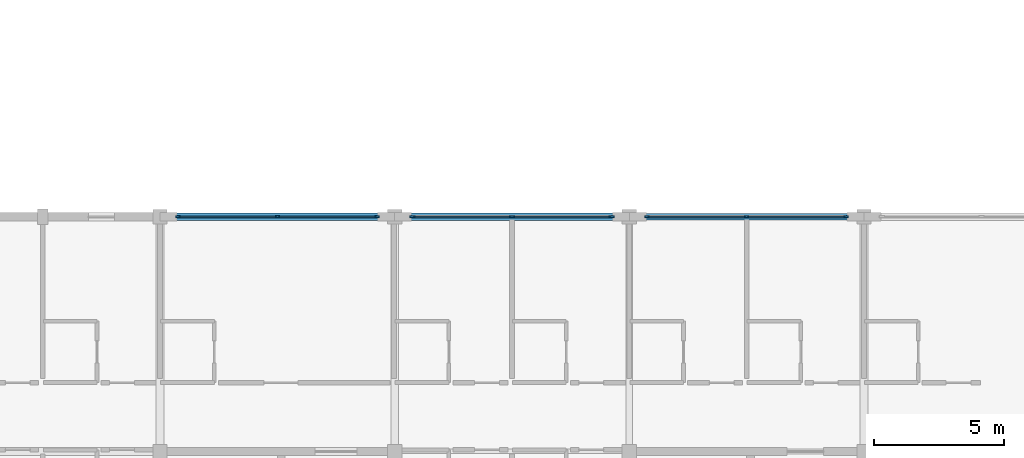
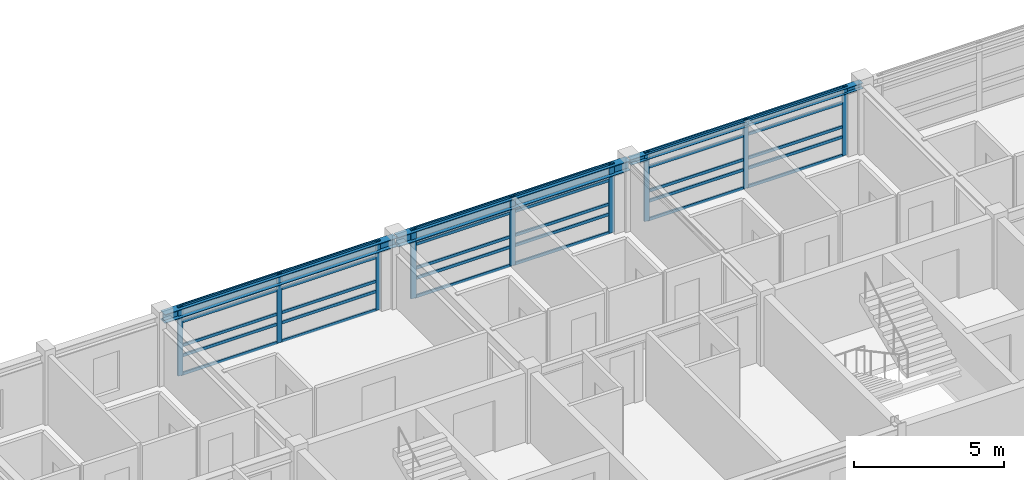
# One storey, part 7 of 30: 39 members, 3 beams, 3 elements without a shape of their own.
"""IFC4 building model written with IfcOpenShell, lengths in metres."""

from ifc_helpers import new_model, si_unit, direction, frame, origin, origin_2d, place, context, subcontext, project, spatial, rectangle, i_section, extrude, material, material_profile, profile_set, type_object, element, aggregate, save


model = new_model("IFC4")

# Units and contexts
model_context = context("Model", 3, precision=1e-05, world=origin(), true_north=direction((0.0, 1.0)))
body_context = subcontext(model_context, "Body", "Model", "MODEL_VIEW")
ifc_project = project(units=[si_unit("LENGTHUNIT", "METRE"), si_unit("AREAUNIT", "SQUARE_METRE"), si_unit("VOLUMEUNIT", "CUBIC_METRE"), si_unit("PLANEANGLEUNIT", "RADIAN"), si_unit("MASSUNIT", "GRAM", prefix="KILO")], contexts=[model_context])

# Site, building, storey
site_placement = place(None, origin())
site = spatial("IfcSite", under=ifc_project, at=site_placement, CompositionType="ELEMENT")
building_placement = place(site_placement, origin())
building = spatial("IfcBuilding", under=site, at=building_placement, Name="Palais des Congres Ocreval", CompositionType="ELEMENT")
storey_placement = place(building_placement, frame((0.0, 0.0, 14.56005859375)))
storey = spatial("IfcBuildingStorey", under=building, at=storey_placement, Name="L04", CompositionType="ELEMENT", Elevation=14.56005859375)

# Curtain wall, members
ifc_material_1 = material(Name="Anodized bronze aluminium and low-E glass", Category="glass")
curtain_wall_type = type_object("IfcCurtainWallType", Name="Unitised Curtain Wall 7900x2820", PredefinedType="USERDEFINED", material=ifc_material_1)
curtain_wall_1_placement = place(storey_placement, origin())
curtain_wall_1 = element("IfcCurtainWall", 1, at=curtain_wall_1_placement, inside=storey, type_object=curtain_wall_type, Name="Unitised Curtain Wall CW04 L04", ObjectType="UNITISED CURTAIN WALL", PredefinedType="USERDEFINED")
ifc_material_2 = material(Name="Anodized bronze aluminium", Category="aluminium")
ifc_material_profile_1 = material_profile(ifc_material_2, rectangle(XDim=0.06494140625, YDim=0.179931640625, at=origin_2d()), Name="ALU 65x180")
ifc_profile_set_1 = profile_set([ifc_material_profile_1], Name="Anodized bronze aluminium")
member_type_1 = type_object("IfcMemberType", Name="Curtain Wall Mullion ALU 65x180", PredefinedType="MULLION", material=ifc_profile_set_1)
member_1_placement = place(storey_placement, frame((36.6826171875, 18.0, 0.0), z_axis=(0.0, 0.0, 1.0), x_axis=(0.0, 1.0, 0.0)))
member_1 = element("IfcMember", 2, at=member_1_placement, type_object=member_type_1, Name="Curtain Wall Mullion ML03", PredefinedType="MULLION", context=body_context, shape_type="SweptSolid", body=[
    extrude(rectangle(XDim=0.06494140625, YDim=0.179931640625, at=origin_2d()), origin(), (0.0, 0.0, 1.0), 2.81982421875),
])
member_2_placement = place(storey_placement, frame((40.5, 18.0, 0.0), z_axis=(0.0, 0.0, 1.0), x_axis=(0.0, 1.0, 0.0)))
member_2 = element("IfcMember", 3, at=member_2_placement, type_object=member_type_1, Name="Curtain Wall Mullion ML03", PredefinedType="MULLION", context=body_context, shape_type="SweptSolid", body=[
    extrude(rectangle(XDim=0.06494140625, YDim=0.179931640625, at=origin_2d()), origin(), (0.0, 0.0, 1.0), 2.81982421875),
])
member_3_placement = place(storey_placement, frame((44.3173828125, 18.0, 0.0), z_axis=(0.0, 0.0, 1.0), x_axis=(0.0, 1.0, 0.0)))
member_3 = element("IfcMember", 4, at=member_3_placement, type_object=member_type_1, Name="Curtain Wall Mullion ML03", PredefinedType="MULLION", context=body_context, shape_type="SweptSolid", body=[
    extrude(rectangle(XDim=0.06494140625, YDim=0.179931640625, at=origin_2d()), origin(), (0.0, 0.0, 1.0), 2.81982421875),
])

curtain_wall_2_placement = place(storey_placement, origin())
curtain_wall_2 = element("IfcCurtainWall", 5, at=curtain_wall_2_placement, inside=storey, type_object=curtain_wall_type, Name="Unitised Curtain Wall CW04 L04", ObjectType="UNITISED CURTAIN WALL", PredefinedType="USERDEFINED")
member_4_placement = place(storey_placement, frame((54.6826171875, 18.0, 0.0), z_axis=(0.0, 0.0, 1.0), x_axis=(0.0, 1.0, 0.0)))
member_4 = element("IfcMember", 6, at=member_4_placement, type_object=member_type_1, Name="Curtain Wall Mullion ML03", PredefinedType="MULLION", context=body_context, shape_type="SweptSolid", body=[
    extrude(rectangle(XDim=0.06494140625, YDim=0.179931640625, at=origin_2d()), origin(), (0.0, 0.0, 1.0), 2.81982421875),
])
member_5_placement = place(storey_placement, frame((58.5, 18.0, 0.0), z_axis=(0.0, 0.0, 1.0), x_axis=(0.0, 1.0, 0.0)))
member_5 = element("IfcMember", 7, at=member_5_placement, type_object=member_type_1, Name="Curtain Wall Mullion ML03", PredefinedType="MULLION", context=body_context, shape_type="SweptSolid", body=[
    extrude(rectangle(XDim=0.06494140625, YDim=0.179931640625, at=origin_2d()), origin(), (0.0, 0.0, 1.0), 2.81982421875),
])
member_6_placement = place(storey_placement, frame((62.3173828125, 18.0, 0.0), z_axis=(0.0, 0.0, 1.0), x_axis=(0.0, 1.0, 0.0)))
member_6 = element("IfcMember", 8, at=member_6_placement, type_object=member_type_1, Name="Curtain Wall Mullion ML03", PredefinedType="MULLION", context=body_context, shape_type="SweptSolid", body=[
    extrude(rectangle(XDim=0.06494140625, YDim=0.179931640625, at=origin_2d()), origin(), (0.0, 0.0, 1.0), 2.81982421875),
])

curtain_wall_3_placement = place(storey_placement, origin())
curtain_wall_3 = element("IfcCurtainWall", 9, at=curtain_wall_3_placement, inside=storey, type_object=curtain_wall_type, Name="Unitised Curtain Wall CW04 L04", ObjectType="UNITISED CURTAIN WALL", PredefinedType="USERDEFINED")
ifc_material_profile_2 = material_profile(ifc_material_2, rectangle(XDim=0.070068359375, YDim=0.2099609375, at=origin_2d()), Name="ALU 70x210")
ifc_profile_set_2 = profile_set([ifc_material_profile_2], Name="Anodized bronze aluminium")
member_type_2 = type_object("IfcMemberType", Name="Curtain Wall Mullion ALU 70x210", PredefinedType="MULLION", material=ifc_profile_set_2)
member_7_placement = place(storey_placement, frame((45.68505859375, 18.0, 0.0), z_axis=(0.0, 0.0, 1.0), x_axis=(0.0, 1.0, 0.0)))
member_7 = element("IfcMember", 10, at=member_7_placement, type_object=member_type_2, Name="Curtain Wall Mullion ML02", PredefinedType="MULLION", context=body_context, shape_type="SweptSolid", body=[
    extrude(rectangle(XDim=0.070068359375, YDim=0.2099609375, at=origin_2d()), origin(), (0.0, 0.0, 1.0), 2.81982421875),
])
member_8_placement = place(storey_placement, frame((49.5, 18.0, 0.0), z_axis=(0.0, 0.0, 1.0), x_axis=(0.0, 1.0, 0.0)))
member_8 = element("IfcMember", 11, at=member_8_placement, type_object=member_type_2, Name="Curtain Wall Mullion ML02", PredefinedType="MULLION", context=body_context, shape_type="SweptSolid", body=[
    extrude(rectangle(XDim=0.070068359375, YDim=0.2099609375, at=origin_2d()), origin(), (0.0, 0.0, 1.0), 2.81982421875),
])
member_9_placement = place(storey_placement, frame((53.31494140625, 18.0, 0.0), z_axis=(0.0, 0.0, 1.0), x_axis=(0.0, 1.0, 0.0)))
member_9 = element("IfcMember", 12, at=member_9_placement, type_object=member_type_2, Name="Curtain Wall Mullion ML02", PredefinedType="MULLION", context=body_context, shape_type="SweptSolid", body=[
    extrude(rectangle(XDim=0.070068359375, YDim=0.2099609375, at=origin_2d()), origin(), (0.0, 0.0, 1.0), 2.81982421875),
])

# Member
ifc_material_profile_3 = material_profile(ifc_material_2, rectangle(XDim=0.06005859375, YDim=0.1201171875, at=origin_2d()), Name="ALU 60x120")
ifc_profile_set_3 = profile_set([ifc_material_profile_3], Name="Anodized bronze aluminium")
member_type_3 = type_object("IfcMemberType", Name="Curtain Wall Transom ALU 60x120", PredefinedType="USERDEFINED", material=ifc_profile_set_3)
member_10_placement = place(storey_placement, frame((36.715087890625, 18.0, 0.030029296875), z_axis=(1.0, 0.0, 0.0), x_axis=(0.0, 1.0, 0.0)))
member_10 = element("IfcMember", 13, at=member_10_placement, type_object=member_type_3, Name="Curtain Wall Transom TR02", ObjectType="TRANSOM", PredefinedType="USERDEFINED", context=body_context, shape_type="SweptSolid", body=[
    extrude(rectangle(XDim=0.06005859375, YDim=0.1201171875, at=origin_2d()), origin(), (0.0, 0.0, 1.0), 3.75244140625),
])

member_11_placement = place(storey_placement, frame((36.715087890625, 18.0, 0.780029296875), z_axis=(1.0, 0.0, 0.0), x_axis=(0.0, 1.0, 0.0)))
member_11 = element("IfcMember", 14, at=member_11_placement, type_object=member_type_3, Name="Curtain Wall Transom TR02", ObjectType="TRANSOM", PredefinedType="USERDEFINED", context=body_context, shape_type="SweptSolid", body=[
    extrude(rectangle(XDim=0.06005859375, YDim=0.1201171875, at=origin_2d()), origin(), (0.0, 0.0, 1.0), 3.75244140625),
])

member_12_placement = place(storey_placement, frame((36.715087890625, 18.0, 1.193359375), z_axis=(1.0, 0.0, 0.0), x_axis=(0.0, 1.0, 0.0)))
member_12 = element("IfcMember", 15, at=member_12_placement, type_object=member_type_3, Name="Curtain Wall Transom TR02", ObjectType="TRANSOM", PredefinedType="USERDEFINED", context=body_context, shape_type="SweptSolid", body=[
    extrude(rectangle(XDim=0.06005859375, YDim=0.1201171875, at=origin_2d()), origin(), (0.0, 0.0, 1.0), 3.75244140625),
])

member_13_placement = place(storey_placement, frame((36.715087890625, 18.0, 2.169921875), z_axis=(1.0, 0.0, 0.0), x_axis=(0.0, 1.0, 0.0)))
member_13 = element("IfcMember", 16, at=member_13_placement, type_object=member_type_3, Name="Curtain Wall Transom TR02", ObjectType="TRANSOM", PredefinedType="USERDEFINED", context=body_context, shape_type="SweptSolid", body=[
    extrude(rectangle(XDim=0.06005859375, YDim=0.1201171875, at=origin_2d()), origin(), (0.0, 0.0, 1.0), 3.75244140625),
])

member_14_placement = place(storey_placement, frame((36.715087890625, 18.0, 2.7900390625), z_axis=(1.0, 0.0, 0.0), x_axis=(0.0, 1.0, 0.0)))
member_14 = element("IfcMember", 17, at=member_14_placement, type_object=member_type_3, Name="Curtain Wall Transom TR02", ObjectType="TRANSOM", PredefinedType="USERDEFINED", context=body_context, shape_type="SweptSolid", body=[
    extrude(rectangle(XDim=0.06005859375, YDim=0.1201171875, at=origin_2d()), origin(), (0.0, 0.0, 1.0), 3.75244140625),
])

member_15_placement = place(storey_placement, frame((40.532470703125, 18.0, 0.030029296875), z_axis=(1.0, 0.0, 0.0), x_axis=(0.0, 1.0, 0.0)))
member_15 = element("IfcMember", 18, at=member_15_placement, type_object=member_type_3, Name="Curtain Wall Transom TR02", ObjectType="TRANSOM", PredefinedType="USERDEFINED", context=body_context, shape_type="SweptSolid", body=[
    extrude(rectangle(XDim=0.06005859375, YDim=0.1201171875, at=origin_2d()), origin(), (0.0, 0.0, 1.0), 3.75244140625),
])

member_16_placement = place(storey_placement, frame((40.532470703125, 18.0, 0.780029296875), z_axis=(1.0, 0.0, 0.0), x_axis=(0.0, 1.0, 0.0)))
member_16 = element("IfcMember", 19, at=member_16_placement, type_object=member_type_3, Name="Curtain Wall Transom TR02", ObjectType="TRANSOM", PredefinedType="USERDEFINED", context=body_context, shape_type="SweptSolid", body=[
    extrude(rectangle(XDim=0.06005859375, YDim=0.1201171875, at=origin_2d()), origin(), (0.0, 0.0, 1.0), 3.75244140625),
])

member_17_placement = place(storey_placement, frame((40.532470703125, 18.0, 1.193359375), z_axis=(1.0, 0.0, 0.0), x_axis=(0.0, 1.0, 0.0)))
member_17 = element("IfcMember", 20, at=member_17_placement, type_object=member_type_3, Name="Curtain Wall Transom TR02", ObjectType="TRANSOM", PredefinedType="USERDEFINED", context=body_context, shape_type="SweptSolid", body=[
    extrude(rectangle(XDim=0.06005859375, YDim=0.1201171875, at=origin_2d()), origin(), (0.0, 0.0, 1.0), 3.75244140625),
])

member_18_placement = place(storey_placement, frame((40.532470703125, 18.0, 2.169921875), z_axis=(1.0, 0.0, 0.0), x_axis=(0.0, 1.0, 0.0)))
member_18 = element("IfcMember", 21, at=member_18_placement, type_object=member_type_3, Name="Curtain Wall Transom TR02", ObjectType="TRANSOM", PredefinedType="USERDEFINED", context=body_context, shape_type="SweptSolid", body=[
    extrude(rectangle(XDim=0.06005859375, YDim=0.1201171875, at=origin_2d()), origin(), (0.0, 0.0, 1.0), 3.75244140625),
])

member_19_placement = place(storey_placement, frame((40.532470703125, 18.0, 2.7900390625), z_axis=(1.0, 0.0, 0.0), x_axis=(0.0, 1.0, 0.0)))
member_19 = element("IfcMember", 22, at=member_19_placement, type_object=member_type_3, Name="Curtain Wall Transom TR02", ObjectType="TRANSOM", PredefinedType="USERDEFINED", context=body_context, shape_type="SweptSolid", body=[
    extrude(rectangle(XDim=0.06005859375, YDim=0.1201171875, at=origin_2d()), origin(), (0.0, 0.0, 1.0), 3.75244140625),
])

aggregate(curtain_wall_1, [member_1, member_2, member_3, member_10, member_11, member_12, member_13, member_14, member_15, member_16, member_17, member_18, member_19])

member_20_placement = place(storey_placement, frame((45.719970703125, 18.0, 0.030029296875), z_axis=(1.0, 0.0, 0.0), x_axis=(0.0, 1.0, 0.0)))
member_20 = element("IfcMember", 23, at=member_20_placement, type_object=member_type_3, Name="Curtain Wall Transom TR02", ObjectType="TRANSOM", PredefinedType="USERDEFINED", context=body_context, shape_type="SweptSolid", body=[
    extrude(rectangle(XDim=0.06005859375, YDim=0.1201171875, at=origin_2d()), origin(), (0.0, 0.0, 1.0), 3.7451171875),
])

member_21_placement = place(storey_placement, frame((45.719970703125, 18.0, 0.780029296875), z_axis=(1.0, 0.0, 0.0), x_axis=(0.0, 1.0, 0.0)))
member_21 = element("IfcMember", 24, at=member_21_placement, type_object=member_type_3, Name="Curtain Wall Transom TR02", ObjectType="TRANSOM", PredefinedType="USERDEFINED", context=body_context, shape_type="SweptSolid", body=[
    extrude(rectangle(XDim=0.06005859375, YDim=0.1201171875, at=origin_2d()), origin(), (0.0, 0.0, 1.0), 3.7451171875),
])

member_22_placement = place(storey_placement, frame((45.719970703125, 18.0, 1.193359375), z_axis=(1.0, 0.0, 0.0), x_axis=(0.0, 1.0, 0.0)))
member_22 = element("IfcMember", 25, at=member_22_placement, type_object=member_type_3, Name="Curtain Wall Transom TR02", ObjectType="TRANSOM", PredefinedType="USERDEFINED", context=body_context, shape_type="SweptSolid", body=[
    extrude(rectangle(XDim=0.06005859375, YDim=0.1201171875, at=origin_2d()), origin(), (0.0, 0.0, 1.0), 3.7451171875),
])

member_23_placement = place(storey_placement, frame((45.719970703125, 18.0, 2.169921875), z_axis=(1.0, 0.0, 0.0), x_axis=(0.0, 1.0, 0.0)))
member_23 = element("IfcMember", 26, at=member_23_placement, type_object=member_type_3, Name="Curtain Wall Transom TR02", ObjectType="TRANSOM", PredefinedType="USERDEFINED", context=body_context, shape_type="SweptSolid", body=[
    extrude(rectangle(XDim=0.06005859375, YDim=0.1201171875, at=origin_2d()), origin(), (0.0, 0.0, 1.0), 3.7451171875),
])

member_24_placement = place(storey_placement, frame((45.719970703125, 18.0, 2.7900390625), z_axis=(1.0, 0.0, 0.0), x_axis=(0.0, 1.0, 0.0)))
member_24 = element("IfcMember", 27, at=member_24_placement, type_object=member_type_3, Name="Curtain Wall Transom TR02", ObjectType="TRANSOM", PredefinedType="USERDEFINED", context=body_context, shape_type="SweptSolid", body=[
    extrude(rectangle(XDim=0.06005859375, YDim=0.1201171875, at=origin_2d()), origin(), (0.0, 0.0, 1.0), 3.7451171875),
])

member_25_placement = place(storey_placement, frame((49.534912109375, 18.0, 0.030029296875), z_axis=(1.0, 0.0, 0.0), x_axis=(0.0, 1.0, 0.0)))
member_25 = element("IfcMember", 28, at=member_25_placement, type_object=member_type_3, Name="Curtain Wall Transom TR02", ObjectType="TRANSOM", PredefinedType="USERDEFINED", context=body_context, shape_type="SweptSolid", body=[
    extrude(rectangle(XDim=0.06005859375, YDim=0.1201171875, at=origin_2d()), origin(), (0.0, 0.0, 1.0), 3.7451171875),
])

member_26_placement = place(storey_placement, frame((49.534912109375, 18.0, 0.780029296875), z_axis=(1.0, 0.0, 0.0), x_axis=(0.0, 1.0, 0.0)))
member_26 = element("IfcMember", 29, at=member_26_placement, type_object=member_type_3, Name="Curtain Wall Transom TR02", ObjectType="TRANSOM", PredefinedType="USERDEFINED", context=body_context, shape_type="SweptSolid", body=[
    extrude(rectangle(XDim=0.06005859375, YDim=0.1201171875, at=origin_2d()), origin(), (0.0, 0.0, 1.0), 3.7451171875),
])

member_27_placement = place(storey_placement, frame((49.534912109375, 18.0, 1.193359375), z_axis=(1.0, 0.0, 0.0), x_axis=(0.0, 1.0, 0.0)))
member_27 = element("IfcMember", 30, at=member_27_placement, type_object=member_type_3, Name="Curtain Wall Transom TR02", ObjectType="TRANSOM", PredefinedType="USERDEFINED", context=body_context, shape_type="SweptSolid", body=[
    extrude(rectangle(XDim=0.06005859375, YDim=0.1201171875, at=origin_2d()), origin(), (0.0, 0.0, 1.0), 3.7451171875),
])

member_28_placement = place(storey_placement, frame((49.534912109375, 18.0, 2.169921875), z_axis=(1.0, 0.0, 0.0), x_axis=(0.0, 1.0, 0.0)))
member_28 = element("IfcMember", 31, at=member_28_placement, type_object=member_type_3, Name="Curtain Wall Transom TR02", ObjectType="TRANSOM", PredefinedType="USERDEFINED", context=body_context, shape_type="SweptSolid", body=[
    extrude(rectangle(XDim=0.06005859375, YDim=0.1201171875, at=origin_2d()), origin(), (0.0, 0.0, 1.0), 3.7451171875),
])

member_29_placement = place(storey_placement, frame((49.534912109375, 18.0, 2.7900390625), z_axis=(1.0, 0.0, 0.0), x_axis=(0.0, 1.0, 0.0)))
member_29 = element("IfcMember", 32, at=member_29_placement, type_object=member_type_3, Name="Curtain Wall Transom TR02", ObjectType="TRANSOM", PredefinedType="USERDEFINED", context=body_context, shape_type="SweptSolid", body=[
    extrude(rectangle(XDim=0.06005859375, YDim=0.1201171875, at=origin_2d()), origin(), (0.0, 0.0, 1.0), 3.7451171875),
])

aggregate(curtain_wall_3, [member_7, member_8, member_9, member_20, member_21, member_22, member_23, member_24, member_25, member_26, member_27, member_28, member_29])

member_30_placement = place(storey_placement, frame((54.715087890625, 18.0, 0.030029296875), z_axis=(1.0, 0.0, 0.0), x_axis=(0.0, 1.0, 0.0)))
member_30 = element("IfcMember", 33, at=member_30_placement, type_object=member_type_3, Name="Curtain Wall Transom TR02", ObjectType="TRANSOM", PredefinedType="USERDEFINED", context=body_context, shape_type="SweptSolid", body=[
    extrude(rectangle(XDim=0.06005859375, YDim=0.1201171875, at=origin_2d()), origin(), (0.0, 0.0, 1.0), 3.75244140625),
])

member_31_placement = place(storey_placement, frame((54.715087890625, 18.0, 0.780029296875), z_axis=(1.0, 0.0, 0.0), x_axis=(0.0, 1.0, 0.0)))
member_31 = element("IfcMember", 34, at=member_31_placement, type_object=member_type_3, Name="Curtain Wall Transom TR02", ObjectType="TRANSOM", PredefinedType="USERDEFINED", context=body_context, shape_type="SweptSolid", body=[
    extrude(rectangle(XDim=0.06005859375, YDim=0.1201171875, at=origin_2d()), origin(), (0.0, 0.0, 1.0), 3.75244140625),
])

member_32_placement = place(storey_placement, frame((54.715087890625, 18.0, 1.193359375), z_axis=(1.0, 0.0, 0.0), x_axis=(0.0, 1.0, 0.0)))
member_32 = element("IfcMember", 35, at=member_32_placement, type_object=member_type_3, Name="Curtain Wall Transom TR02", ObjectType="TRANSOM", PredefinedType="USERDEFINED", context=body_context, shape_type="SweptSolid", body=[
    extrude(rectangle(XDim=0.06005859375, YDim=0.1201171875, at=origin_2d()), origin(), (0.0, 0.0, 1.0), 3.75244140625),
])

member_33_placement = place(storey_placement, frame((54.715087890625, 18.0, 2.169921875), z_axis=(1.0, 0.0, 0.0), x_axis=(0.0, 1.0, 0.0)))
member_33 = element("IfcMember", 36, at=member_33_placement, type_object=member_type_3, Name="Curtain Wall Transom TR02", ObjectType="TRANSOM", PredefinedType="USERDEFINED", context=body_context, shape_type="SweptSolid", body=[
    extrude(rectangle(XDim=0.06005859375, YDim=0.1201171875, at=origin_2d()), origin(), (0.0, 0.0, 1.0), 3.75244140625),
])

member_34_placement = place(storey_placement, frame((54.715087890625, 18.0, 2.7900390625), z_axis=(1.0, 0.0, 0.0), x_axis=(0.0, 1.0, 0.0)))
member_34 = element("IfcMember", 37, at=member_34_placement, type_object=member_type_3, Name="Curtain Wall Transom TR02", ObjectType="TRANSOM", PredefinedType="USERDEFINED", context=body_context, shape_type="SweptSolid", body=[
    extrude(rectangle(XDim=0.06005859375, YDim=0.1201171875, at=origin_2d()), origin(), (0.0, 0.0, 1.0), 3.75244140625),
])

member_35_placement = place(storey_placement, frame((58.532470703125, 18.0, 0.030029296875), z_axis=(1.0, 0.0, 0.0), x_axis=(0.0, 1.0, 0.0)))
member_35 = element("IfcMember", 38, at=member_35_placement, type_object=member_type_3, Name="Curtain Wall Transom TR02", ObjectType="TRANSOM", PredefinedType="USERDEFINED", context=body_context, shape_type="SweptSolid", body=[
    extrude(rectangle(XDim=0.06005859375, YDim=0.1201171875, at=origin_2d()), origin(), (0.0, 0.0, 1.0), 3.75244140625),
])

member_36_placement = place(storey_placement, frame((58.532470703125, 18.0, 0.780029296875), z_axis=(1.0, 0.0, 0.0), x_axis=(0.0, 1.0, 0.0)))
member_36 = element("IfcMember", 39, at=member_36_placement, type_object=member_type_3, Name="Curtain Wall Transom TR02", ObjectType="TRANSOM", PredefinedType="USERDEFINED", context=body_context, shape_type="SweptSolid", body=[
    extrude(rectangle(XDim=0.06005859375, YDim=0.1201171875, at=origin_2d()), origin(), (0.0, 0.0, 1.0), 3.75244140625),
])

member_37_placement = place(storey_placement, frame((58.532470703125, 18.0, 1.193359375), z_axis=(1.0, 0.0, 0.0), x_axis=(0.0, 1.0, 0.0)))
member_37 = element("IfcMember", 40, at=member_37_placement, type_object=member_type_3, Name="Curtain Wall Transom TR02", ObjectType="TRANSOM", PredefinedType="USERDEFINED", context=body_context, shape_type="SweptSolid", body=[
    extrude(rectangle(XDim=0.06005859375, YDim=0.1201171875, at=origin_2d()), origin(), (0.0, 0.0, 1.0), 3.75244140625),
])

member_38_placement = place(storey_placement, frame((58.532470703125, 18.0, 2.169921875), z_axis=(1.0, 0.0, 0.0), x_axis=(0.0, 1.0, 0.0)))
member_38 = element("IfcMember", 41, at=member_38_placement, type_object=member_type_3, Name="Curtain Wall Transom TR02", ObjectType="TRANSOM", PredefinedType="USERDEFINED", context=body_context, shape_type="SweptSolid", body=[
    extrude(rectangle(XDim=0.06005859375, YDim=0.1201171875, at=origin_2d()), origin(), (0.0, 0.0, 1.0), 3.75244140625),
])

member_39_placement = place(storey_placement, frame((58.532470703125, 18.0, 2.7900390625), z_axis=(1.0, 0.0, 0.0), x_axis=(0.0, 1.0, 0.0)))
member_39 = element("IfcMember", 42, at=member_39_placement, type_object=member_type_3, Name="Curtain Wall Transom TR02", ObjectType="TRANSOM", PredefinedType="USERDEFINED", context=body_context, shape_type="SweptSolid", body=[
    extrude(rectangle(XDim=0.06005859375, YDim=0.1201171875, at=origin_2d()), origin(), (0.0, 0.0, 1.0), 3.75244140625),
])

aggregate(curtain_wall_2, [member_4, member_5, member_6, member_30, member_31, member_32, member_33, member_34, member_35, member_36, member_37, member_38, member_39])

# Beams
ifc_material_3 = material(Name="Steel S355", Category="steel")
ifc_material_profile_4 = material_profile(ifc_material_3, i_section(OverallWidth=0.239990234375, OverallDepth=0.22998046875, WebThickness=0.007568359375, FlangeThickness=0.011962890625, at=origin_2d()), Name="HEA 240")
ifc_profile_set_4 = profile_set([ifc_material_profile_4], Name="Steel S355")
beam_type_1 = type_object("IfcBeamType", Name="Perimeter Spandrel HEA 240 Steel S355", PredefinedType="SPANDREL", material=ifc_profile_set_4)
beam_1_placement = place(storey_placement, frame((54.02001953125, 18.0, 2.6650390625), z_axis=(1.0, 0.0, 0.0), x_axis=(0.0, 1.0, 0.0)))
element("IfcBeam", 43, at=beam_1_placement, inside=storey, type_object=beam_type_1, Name="Beam SP01 L04", PredefinedType="SPANDREL", context=body_context, shape_type="SweptSolid", body=[
    extrude(i_section(OverallWidth=0.239990234375, OverallDepth=0.22998046875, WebThickness=0.007568359375, FlangeThickness=0.011962890625, at=origin_2d()), origin(), (0.0, 0.0, 1.0), 8.9599609375),
])
ifc_material_profile_5 = material_profile(ifc_material_3, i_section(OverallWidth=0.300048828125, OverallDepth=0.360107421875, WebThickness=0.012451171875, FlangeThickness=0.0224609375, at=origin_2d()), Name="HEB 360")
ifc_profile_set_5 = profile_set([ifc_material_profile_5], Name="Steel S355")
beam_type_2 = type_object("IfcBeamType", Name="Perimeter Spandrel HEB 360 Steel S355", PredefinedType="SPANDREL", material=ifc_profile_set_5)
beam_2_placement = place(storey_placement, frame((36.02001953125, 18.0, 2.599853515625), z_axis=(1.0, 0.0, 0.0), x_axis=(0.0, 1.0, 0.0)))
element("IfcBeam", 44, at=beam_2_placement, inside=storey, type_object=beam_type_2, Name="Beam SP03 L04", PredefinedType="SPANDREL", context=body_context, shape_type="SweptSolid", body=[
    extrude(i_section(OverallWidth=0.300048828125, OverallDepth=0.360107421875, WebThickness=0.012451171875, FlangeThickness=0.0224609375, at=origin_2d()), origin(), (0.0, 0.0, 1.0), 8.9599609375),
])
ifc_material_profile_6 = material_profile(ifc_material_3, i_section(OverallWidth=0.300048828125, OverallDepth=0.39990234375, WebThickness=0.013427734375, FlangeThickness=0.02392578125, at=origin_2d()), Name="HEB 400")
ifc_profile_set_6 = profile_set([ifc_material_profile_6], Name="Steel S355")
beam_type_3 = type_object("IfcBeamType", Name="Perimeter Spandrel HEB 400 Steel S355", PredefinedType="SPANDREL", material=ifc_profile_set_6)
beam_3_placement = place(storey_placement, frame((45.02001953125, 18.0, 2.579833984375), z_axis=(1.0, 0.0, 0.0), x_axis=(0.0, 1.0, 0.0)))
element("IfcBeam", 45, at=beam_3_placement, inside=storey, type_object=beam_type_3, Name="Beam SP04 L04", PredefinedType="SPANDREL", context=body_context, shape_type="SweptSolid", body=[
    extrude(i_section(OverallWidth=0.300048828125, OverallDepth=0.39990234375, WebThickness=0.013427734375, FlangeThickness=0.02392578125, at=origin_2d()), origin(), (0.0, 0.0, 1.0), 8.9599609375),
])

save(model, "model.ifc")
